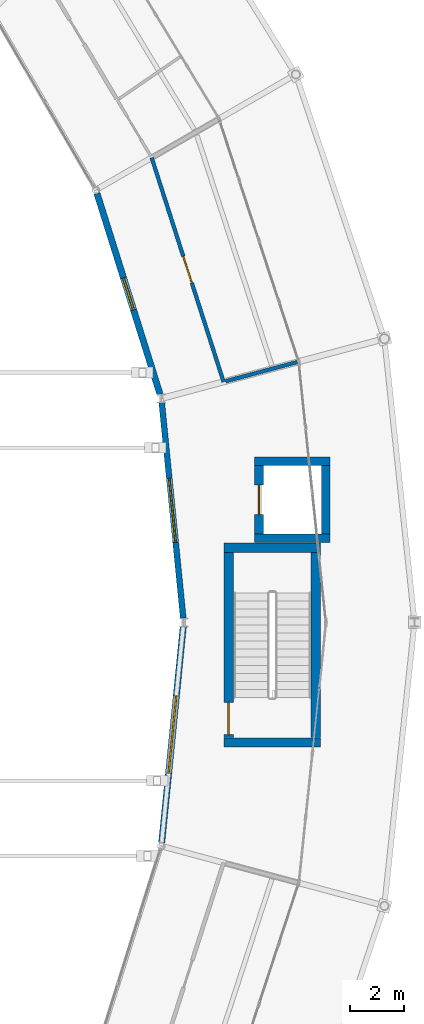
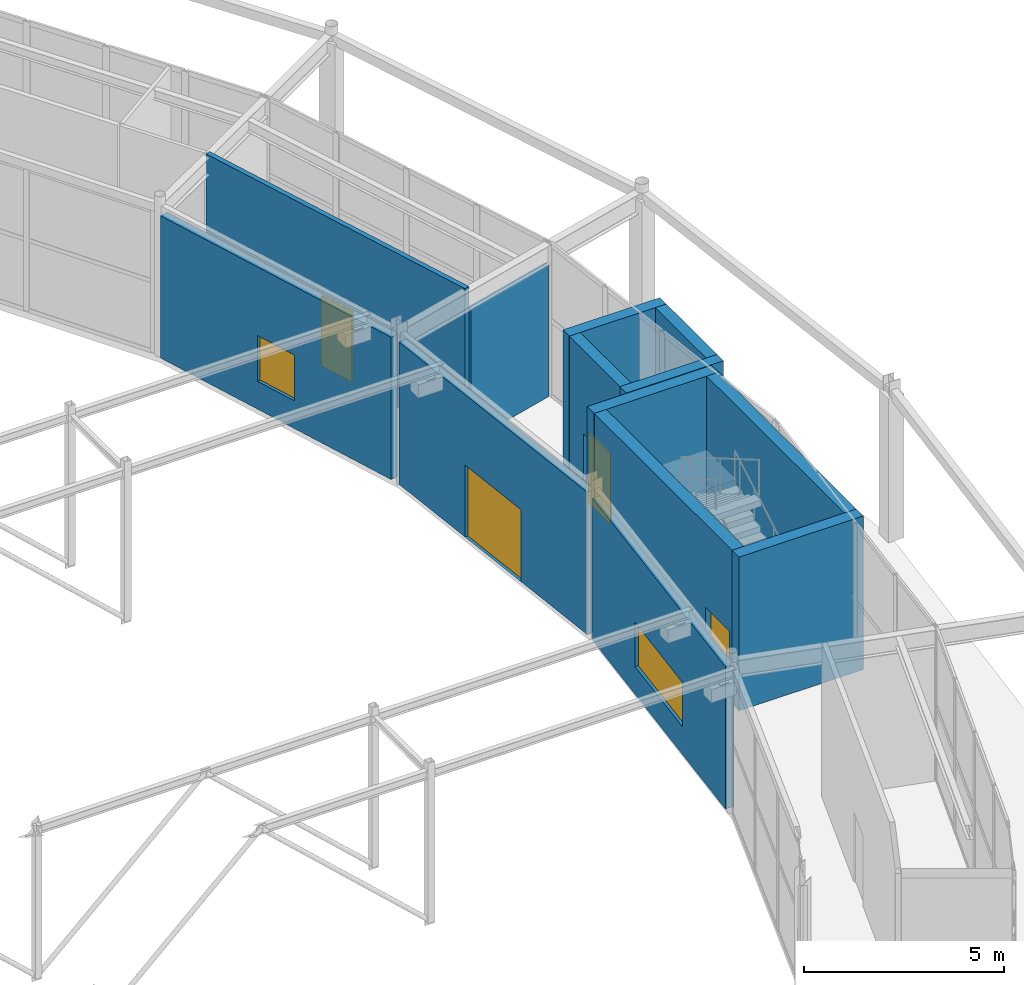
# One storey, part 125 of 144: 13 walls, 4 doors, 2 windows, 6 openings.
"""IFC4 building model written with IfcOpenShell, lengths in metres."""

from ifc_helpers import new_model, si_unit, direction, frame, frame_2d, origin, place, context, subcontext, project, spatial, rectangle, extrude, material, layer, layer_set, type_object, element, fill, save


model = new_model("IFC4")

# Units and contexts
model_context = context("Model", 3, precision=1e-05, world=origin(), true_north=direction((0.0, 1.0)))
body_context = subcontext(model_context, "Body", "Model", "MODEL_VIEW")
ifc_project = project(units=[si_unit("LENGTHUNIT", "METRE"), si_unit("AREAUNIT", "SQUARE_METRE"), si_unit("VOLUMEUNIT", "CUBIC_METRE"), si_unit("PLANEANGLEUNIT", "RADIAN"), si_unit("MASSUNIT", "GRAM", prefix="KILO")], contexts=[model_context])

# Site, building, storey
site_placement = place(None, origin())
site = spatial("IfcSite", under=ifc_project, at=site_placement, CompositionType="ELEMENT")
building_placement = place(site_placement, origin())
building = spatial("IfcBuilding", under=site, at=building_placement, Name="Karori Crest Natural Sciences Institute", CompositionType="ELEMENT")
storey_placement = place(building_placement, origin())
storey = spatial("IfcBuildingStorey", under=building, at=storey_placement, Name="L00", CompositionType="ELEMENT", Elevation=0.0)

# Walls
ifc_material_1 = material(Name="Concrete 50 MPa", Category="concrete")
ifc_layer_1 = layer(ifc_material_1, 0.35009765625, Name="Concrete 50 MPa")
ifc_layer_set_1 = layer_set([ifc_layer_1], Name="Concrete 50 MPa")
wall_type_1 = type_object("IfcWallType", Name="IWT-02", PredefinedType="SHEAR", material=ifc_layer_set_1)
for number, where, z_axis, x_axis, name in (
    (1, (92.300048828125, 45.425048828125, 0.0), (0.0, 0.0, 1.0), (1.0, 0.0, 0.0), "Shear wall IW-0005"),
    (2, (92.300048828125, 52.675048828125, 0.0), (0.0, 0.0, 1.0), (1.0, 0.0, 0.0), "Shear wall IW-0006"),
):
    element("IfcWall", number, at=place(storey_placement, frame(where, z_axis=z_axis, x_axis=x_axis)), inside=storey, type_object=wall_type_1, Name=name, PredefinedType="SHEAR", context=body_context, shape_type="SweptSolid", body=[
        extrude(rectangle(XDim=3.599853515625, YDim=0.35009765625, at=frame_2d((1.7998046875, 0.0))), origin(), (0.0, 0.0, 1.0), 4.699951171875),
    ])

# Wall, opening, door
wall_1_placement = place(storey_placement, frame((92.47509765625, 45.60205078125, 0.0), z_axis=(0.0, 0.0, 1.0), x_axis=(0.0, 1.0, 0.0)))
wall_1 = element("IfcWall", 3, at=wall_1_placement, inside=storey, type_object=wall_type_1, Name="Shear wall IW-0007", PredefinedType="SHEAR", context=body_context, shape_type="SweptSolid", body=[
    extrude(rectangle(XDim=6.89599609375, YDim=0.35009765625, at=frame_2d((3.447998046875, 0.0))), origin(), (0.0, 0.0, 1.0), 4.699951171875),
])
opening_1_placement = place(wall_1_placement, frame((0.1201171875, 0.0, 0.0)))
opening_1 = element("IfcOpeningElement", 4, at=opening_1_placement, cuts=wall_1, Name="Opening ID-0002", PredefinedType="OPENING", context=body_context, shape_type="SweptSolid", body=[
    extrude(rectangle(XDim=1.199951171875, YDim=2.14990234375, at=frame_2d((0.60009765625, 1.074951171875))), frame((0.0, 0.18505859375, 0.0), z_axis=(0.0, -1.0, 0.0), x_axis=(1.0, 0.0, 0.0)), (0.0, 0.0, 1.0), 0.3701171875),
])
ifc_material_2 = material(Name="Stainless steel 316 and fire-rated timber", Category="steel")
door_type_1 = type_object("IfcDoorType", Name="IDT-01", OperationType="NOTDEFINED", PredefinedType="DOOR", material=ifc_material_2)
door_1_placement = place(opening_1_placement, origin())
door_1 = element("IfcDoor", 5, at=door_1_placement, inside=storey, type_object=door_type_1, Name="Stair ST-01 fire door ID-0002", OperationType="SINGLE_SWING_RIGHT", OverallHeight=2.14990234375, OverallWidth=1.199951171875, PredefinedType="DOOR", context=body_context, shape_type="SweptSolid", body=[
    extrude(rectangle(XDim=1.199951171875, YDim=2.14990234375, at=frame_2d((0.60009765625, 1.074951171875))), frame((0.0, 0.02490234375, 0.0), z_axis=(0.0, -1.0, 0.0), x_axis=(1.0, 0.0, 0.0)), (0.0, 0.0, 1.0), 0.050048828125),
])
fill(opening_1, door_1)

# Walls
wall_2_placement = place(storey_placement, frame((95.72509765625, 45.60205078125, 0.0), z_axis=(0.0, 0.0, 1.0), x_axis=(0.0, 1.0, 0.0)))
element("IfcWall", 6, at=wall_2_placement, inside=storey, type_object=wall_type_1, Name="Shear wall IW-0008", PredefinedType="SHEAR", context=body_context, shape_type="SweptSolid", body=[
    extrude(rectangle(XDim=6.89599609375, YDim=0.35009765625, at=frame_2d((3.447998046875, 0.0))), origin(), (0.0, 0.0, 1.0), 4.699951171875),
])
ifc_layer_2 = layer(ifc_material_1, 0.320068359375, Name="Concrete 50 MPa")
ifc_layer_set_2 = layer_set([ifc_layer_2], Name="Concrete 50 MPa")
wall_type_2 = type_object("IfcWallType", Name="IWT-03", PredefinedType="SHEAR", material=ifc_layer_set_2)
for number, where, z_axis, x_axis, name in (
    (7, (93.445068359375, 53.030029296875, 0.0), (0.0, 0.0, 1.0), (1.0, 0.0, 0.0), "Shear wall IW-0405"),
    (8, (93.445068359375, 55.89501953125, 0.0), (0.0, 0.0, 1.0), (1.0, 0.0, 0.0), "Shear wall IW-0406"),
):
    element("IfcWall", number, at=place(storey_placement, frame(where, z_axis=z_axis, x_axis=x_axis)), inside=storey, type_object=wall_type_2, Name=name, PredefinedType="SHEAR", context=body_context, shape_type="SweptSolid", body=[
        extrude(rectangle(XDim=2.809814453125, YDim=0.320068359375, at=frame_2d((1.40478515625, 0.0))), origin(), (0.0, 0.0, 1.0), 4.699951171875),
    ])

# Wall, opening, door
wall_3_placement = place(storey_placement, frame((93.60498046875, 53.19189453125, 0.0), z_axis=(0.0, 0.0, 1.0), x_axis=(0.0, 1.0, 0.0)))
wall_3 = element("IfcWall", 9, at=wall_3_placement, inside=storey, type_object=wall_type_2, Name="Shear wall IW-0407", PredefinedType="SHEAR", context=body_context, shape_type="SweptSolid", body=[
    extrude(rectangle(XDim=2.541015625, YDim=0.320068359375, at=frame_2d((1.2705078125, 0.0))), origin(), (0.0, 0.0, 1.0), 4.699951171875),
])
opening_2_placement = place(wall_3_placement, frame((0.720458984375, 0.0, 0.0)))
opening_2 = element("IfcOpeningElement", 10, at=opening_2_placement, cuts=wall_3, Name="Opening LD-0026", PredefinedType="OPENING", context=body_context, shape_type="SweptSolid", body=[
    extrude(rectangle(XDim=1.10009765625, YDim=2.14990234375, at=frame_2d((0.550048828125, 1.074951171875))), frame((0.0, 0.169921875, 0.0), z_axis=(0.0, -1.0, 0.0), x_axis=(1.0, 0.0, 0.0)), (0.0, 0.0, 1.0), 0.340087890625),
])
door_type_2 = type_object("IfcDoorType", Name="LDT-01", OperationType="SLIDING_TO_LEFT", PredefinedType="DOOR", material=ifc_material_2)
door_2_placement = place(opening_2_placement, origin())
door_2 = element("IfcDoor", 11, at=door_2_placement, inside=storey, type_object=door_type_2, Name="Lift LP-01 landing door LD-0026", OperationType="SLIDING_TO_LEFT", OverallHeight=2.14990234375, OverallWidth=1.10009765625, PredefinedType="DOOR", context=body_context, shape_type="SweptSolid", body=[
    extrude(rectangle(XDim=1.10009765625, YDim=2.14990234375, at=frame_2d((0.550048828125, 1.074951171875))), frame((0.0, 0.02490234375, 0.0), z_axis=(0.0, -1.0, 0.0), x_axis=(1.0, 0.0, 0.0)), (0.0, 0.0, 1.0), 0.050048828125),
])
fill(opening_2, door_2)

# Wall
wall_4_placement = place(storey_placement, frame((96.094970703125, 53.19189453125, 0.0), z_axis=(0.0, 0.0, 1.0), x_axis=(0.0, 1.0, 0.0)))
element("IfcWall", 12, at=wall_4_placement, inside=storey, type_object=wall_type_2, Name="Shear wall IW-0408", PredefinedType="SHEAR", context=body_context, shape_type="SweptSolid", body=[
    extrude(rectangle(XDim=2.541015625, YDim=0.320068359375, at=frame_2d((1.2705078125, 0.0))), origin(), (0.0, 0.0, 1.0), 4.699951171875),
])

# Wall, opening, door
ifc_material_3 = material(Name="Laboratory acoustic drywall partition")
ifc_layer_3 = layer(ifc_material_3, 0.139892578125, Name="Laboratory acoustic drywall partition")
ifc_layer_set_3 = layer_set([ifc_layer_3], Name="Laboratory acoustic drywall partition")
wall_type_3 = type_object("IfcWallType", Name="IWT-07", PredefinedType="PARTITIONING", material=ifc_layer_set_3)
wall_5_placement = place(storey_placement, frame((92.286865234375, 58.85498046875, 0.0), z_axis=(0.0, 0.0, 1.0), x_axis=(-0.30548522006, 0.952196818061, 0.0)))
wall_5 = element("IfcWall", 13, at=wall_5_placement, inside=storey, type_object=wall_type_3, Name="Partition wall IW-1168", PredefinedType="PARTITIONING", context=body_context, shape_type="SweptSolid", body=[
    extrude(rectangle(XDim=8.763916015625, YDim=0.139892578125, at=frame_2d((4.3818359375, 0.0))), origin(), (0.0, 0.0, 1.0), 4.699951171875),
])
opening_3_placement = place(wall_5_placement, frame((3.85693359375, 0.0, 0.0)))
opening_3 = element("IfcOpeningElement", 14, at=opening_3_placement, cuts=wall_5, Name="Opening ID-0348", PredefinedType="OPENING", context=body_context, shape_type="SweptSolid", body=[
    extrude(rectangle(XDim=1.050048828125, YDim=2.14990234375, at=frame_2d((0.52490234375, 1.074951171875))), frame((0.0, 0.080078125, 0.0), z_axis=(0.0, -1.0, 0.0), x_axis=(1.0, 0.0, 0.0)), (0.0, 0.0, 1.0), 0.159912109375),
])
door_type_3 = type_object("IfcDoorType", Name="IDT-03", OperationType="NOTDEFINED", PredefinedType="DOOR", material=ifc_material_2)
door_3_placement = place(opening_3_placement, origin())
door_3 = element("IfcDoor", 15, at=door_3_placement, inside=storey, type_object=door_type_3, Name="Organic Biogeochemistry Laboratory door ID-0348", OperationType="SINGLE_SWING_RIGHT", OverallHeight=2.14990234375, OverallWidth=1.050048828125, PredefinedType="DOOR", context=body_context, shape_type="SweptSolid", body=[
    extrude(rectangle(XDim=1.050048828125, YDim=2.14990234375, at=frame_2d((0.52490234375, 1.074951171875))), frame((0.0, 0.02490234375, 0.0), z_axis=(0.0, -1.0, 0.0), x_axis=(1.0, 0.0, 0.0)), (0.0, 0.0, 1.0), 0.050048828125),
])
fill(opening_3, door_3)

# Wall
wall_6_placement = place(storey_placement, frame((92.364013671875, 58.875732421875, 0.0), z_axis=(0.0, 0.0, 1.0), x_axis=(0.965925940868, 0.258818617489, 0.0)))
element("IfcWall", 16, at=wall_6_placement, inside=storey, type_object=wall_type_3, Name="Partition wall IW-1169", PredefinedType="PARTITIONING", context=body_context, shape_type="SweptSolid", body=[
    extrude(rectangle(XDim=2.760009765625, YDim=0.139892578125, at=frame_2d((1.3798828125, 0.0))), origin(), (0.0, 0.0, 1.0), 4.02294921875),
])

# Wall, opening, window
ifc_material_4 = material(Name="Precast concrete 40 MPa", Category="concrete")
ifc_layer_4 = layer(ifc_material_4, 0.239990234375, Name="Precast concrete 40 MPa")
ifc_layer_set_4 = layer_set([ifc_layer_4], Name="Precast concrete 40 MPa")
wall_type_4 = type_object("IfcWallType", Name="WT-04", PredefinedType="SOLIDWALL", material=ifc_layer_set_4)
wall_7_placement = place(storey_placement, frame((89.9208984375, 58.385986328125, 0.0), z_axis=(0.0, 0.0, 1.0), x_axis=(-0.299477830639, 0.954103259064, 0.0)))
wall_7 = element("IfcWall", 17, at=wall_7_placement, inside=storey, type_object=wall_type_4, Name="Exterior wall EW-0020", PredefinedType="SOLIDWALL", context=body_context, shape_type="SweptSolid", body=[
    extrude(rectangle(XDim=7.845703125, YDim=0.239990234375, at=frame_2d((3.9228515625, 0.0))), origin(), (0.0, 0.0, 1.0), 4.35009765625),
])
opening_4_placement = place(wall_7_placement, frame((3.2978515625, 0.0, 0.85009765625)))
opening_4 = element("IfcOpeningElement", 18, at=opening_4_placement, cuts=wall_7, Name="Opening WN-0001", PredefinedType="OPENING", context=body_context, shape_type="SweptSolid", body=[
    extrude(rectangle(XDim=1.25, YDim=1.39990234375, at=frame_2d((0.625, 0.699951171875))), frame((0.0, 0.1298828125, 0.0), z_axis=(0.0, -1.0, 0.0), x_axis=(1.0, 0.0, 0.0)), (0.0, 0.0, 1.0), 0.260009765625),
])
ifc_material_5 = material(Name="Double low-E laminated glass", Category="glass")
window_type_1 = type_object("IfcWindowType", Name="WNT-02", PartitioningType="SINGLE_PANEL", PredefinedType="WINDOW", material=ifc_material_5)
window_1_placement = place(opening_4_placement, origin())
window_1 = element("IfcWindow", 19, at=window_1_placement, inside=storey, type_object=window_type_1, Name="Window WN-0001", OverallHeight=1.39990234375, OverallWidth=1.25, PartitioningType="SINGLE_PANEL", PredefinedType="WINDOW", context=body_context, shape_type="SweptSolid", body=[
    extrude(rectangle(XDim=1.25, YDim=1.39990234375, at=frame_2d((0.625, 0.699951171875))), frame((0.0, 0.030029296875, 0.0), z_axis=(0.0, -1.0, 0.0), x_axis=(1.0, 0.0, 0.0)), (0.0, 0.0, 1.0), 0.06005859375),
])
fill(opening_4, window_1)

wall_8_placement = place(storey_placement, frame((89.98193359375, 41.69970703125, 0.0), z_axis=(0.0, 0.0, 1.0), x_axis=(0.09926153237, 0.995061379108, 0.0)))
wall_8 = element("IfcWall", 20, at=wall_8_placement, inside=storey, type_object=wall_type_4, Name="Exterior wall EW-0036", PredefinedType="SOLIDWALL", context=body_context, shape_type="SweptSolid", body=[
    extrude(rectangle(XDim=8.084716796875, YDim=0.239990234375, at=frame_2d((4.04248046875, 0.0))), origin(), (0.0, 0.0, 1.0), 4.35009765625),
])
opening_5_placement = place(wall_8_placement, frame((2.59228515625, 0.0, 0.85009765625)))
opening_5 = element("IfcOpeningElement", 21, at=opening_5_placement, cuts=wall_8, Name="Opening WN-0008", PredefinedType="OPENING", context=body_context, shape_type="SweptSolid", body=[
    extrude(rectangle(XDim=2.89990234375, YDim=1.35009765625, at=frame_2d((1.449951171875, 0.675048828125))), frame((0.0, 0.1298828125, 0.0), z_axis=(0.0, -1.0, 0.0), x_axis=(1.0, 0.0, 0.0)), (0.0, 0.0, 1.0), 0.260009765625),
])
window_type_2 = type_object("IfcWindowType", Name="WNT-24", PartitioningType="SINGLE_PANEL", PredefinedType="WINDOW", material=ifc_material_5)
window_2_placement = place(opening_5_placement, origin())
window_2 = element("IfcWindow", 22, at=window_2_placement, inside=storey, type_object=window_type_2, Name="Window WN-0008", OverallHeight=1.35009765625, OverallWidth=2.89990234375, PartitioningType="SINGLE_PANEL", PredefinedType="WINDOW", context=body_context, shape_type="SweptSolid", body=[
    extrude(rectangle(XDim=2.89990234375, YDim=1.35009765625, at=frame_2d((1.449951171875, 0.675048828125))), frame((0.0, 0.030029296875, 0.0), z_axis=(0.0, -1.0, 0.0), x_axis=(1.0, 0.0, 0.0)), (0.0, 0.0, 1.0), 0.06005859375),
])
fill(opening_5, window_2)

# Wall, opening, door
ifc_layer_5 = layer(ifc_material_4, 0.219970703125, Name="Precast concrete 40 MPa")
ifc_layer_set_5 = layer_set([ifc_layer_5], Name="Precast concrete 40 MPa")
wall_type_5 = type_object("IfcWallType", Name="WT-05", PredefinedType="SOLIDWALL", material=ifc_layer_set_5)
wall_9_placement = place(storey_placement, frame((90.784423828125, 50.055419921875, 0.0), z_axis=(0.0, 0.0, 1.0), x_axis=(-0.099243006395, 0.995063226977, 0.0)))
wall_9 = element("IfcWall", 23, at=wall_9_placement, inside=storey, type_object=wall_type_5, Name="Exterior wall EW-0019", PredefinedType="SOLIDWALL", context=body_context, shape_type="SweptSolid", body=[
    extrude(rectangle(XDim=8.06640625, YDim=0.219970703125, at=frame_2d((4.033203125, 0.0))), origin(), (0.0, 0.0, 1.0), 4.35009765625),
])
opening_6_placement = place(wall_9_placement, frame((2.833251953125, 0.0, 0.0)))
opening_6 = element("IfcOpeningElement", 24, at=opening_6_placement, cuts=wall_9, Name="Opening ED-0001", PredefinedType="OPENING", context=body_context, shape_type="SweptSolid", body=[
    extrude(rectangle(XDim=2.39990234375, YDim=2.199951171875, at=frame_2d((1.199951171875, 1.10009765625))), frame((0.0, 0.1201171875, 0.0), z_axis=(0.0, -1.0, 0.0), x_axis=(1.0, 0.0, 0.0)), (0.0, 0.0, 1.0), 0.239990234375),
])
ifc_material_6 = material(Name="Anodised architectural aluminium 6063-T6", Category="aluminium")
door_type_4 = type_object("IfcDoorType", Name="EDT-07", OperationType="DOUBLE_DOOR_SINGLE_SWING", PredefinedType="GATE", material=ifc_material_6)
door_4_placement = place(opening_6_placement, origin())
door_4 = element("IfcDoor", 25, at=door_4_placement, inside=storey, type_object=door_type_4, Name="Courtyard security gate ED-0001", OperationType="DOUBLE_DOOR_SINGLE_SWING", OverallHeight=2.199951171875, OverallWidth=2.39990234375, PredefinedType="GATE", context=body_context, shape_type="SweptSolid", body=[
    extrude(rectangle(XDim=2.39990234375, YDim=2.199951171875, at=frame_2d((1.199951171875, 1.10009765625))), frame((0.0, 0.02490234375, 0.0), z_axis=(0.0, -1.0, 0.0), x_axis=(1.0, 0.0, 0.0)), (0.0, 0.0, 1.0), 0.050048828125),
])
fill(opening_6, door_4)

save(model, "model.ifc")
